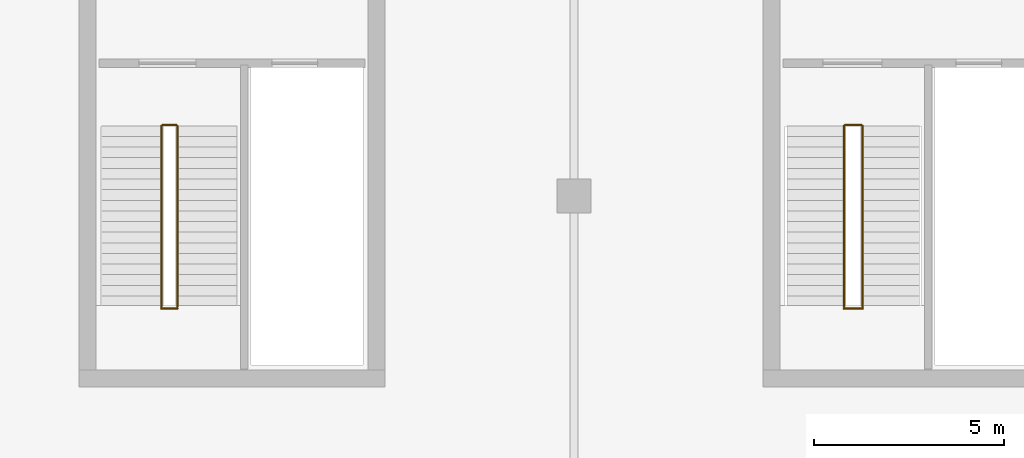
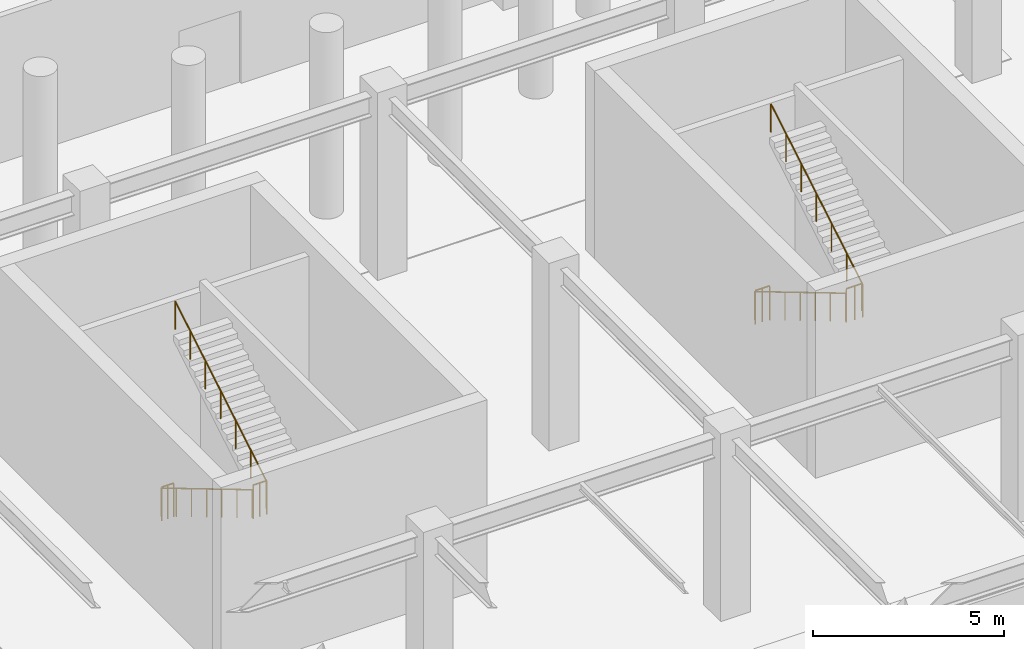
# One storey, part 80 of 91: 8 railings.
"""IFC4 building model written with IfcOpenShell, lengths in metres."""

from ifc_helpers import new_model, si_unit, direction, frame, origin, origin_2d, place, context, subcontext, project, spatial, circle, extrude, material, type_object, element, save


model = new_model("IFC4")

# Units and contexts
model_context = context("Model", 3, precision=1e-05, world=origin(), true_north=direction((0.0, 1.0)))
body_context = subcontext(model_context, "Body", "Model", "MODEL_VIEW")
ifc_project = project(units=[si_unit("LENGTHUNIT", "METRE"), si_unit("AREAUNIT", "SQUARE_METRE"), si_unit("VOLUMEUNIT", "CUBIC_METRE"), si_unit("PLANEANGLEUNIT", "RADIAN"), si_unit("MASSUNIT", "GRAM", prefix="KILO")], contexts=[model_context])

# Site, building, storey
site_placement = place(None, origin())
site = spatial("IfcSite", under=ifc_project, at=site_placement, CompositionType="ELEMENT")
building_placement = place(site_placement, origin())
building = spatial("IfcBuilding", under=site, at=building_placement, Name="Dornveld Trade and Exhibition Forum", CompositionType="ELEMENT")
storey_placement = place(building_placement, origin())
storey = spatial("IfcBuildingStorey", under=building, at=storey_placement, Name="L00", CompositionType="ELEMENT", Elevation=0.0)

# Railings
ifc_material_1 = material(Name="Brushed stainless steel handrail", Category="steel")
railing_type_1 = type_object("IfcRailingType", Name="RL-HAND-920", PredefinedType="HANDRAIL", material=ifc_material_1)
railing_1_placement = place(storey_placement, frame((106.139892578125, 55.85009765625, 0.166748046875)))
element("IfcRailing", 1, at=railing_1_placement, inside=storey, type_object=railing_type_1, Name="ST-06-L00 flight 1 handrail", PredefinedType="HANDRAIL", context=body_context, shape_type="SweptSolid", body=[
    extrude(circle(Radius=0.02099609375, at=origin_2d()), frame((0.0, 0.0, 0.89892578125), z_axis=(0.0, -0.859299802514, 0.511472237174), x_axis=(1.0, 0.0, 0.0)), (0.0, 0.0, 1.0), 5.539306640625),
    extrude(circle(Radius=0.01806640625, at=origin_2d()), origin(), (0.0, 0.0, 1.0), 0.8779296875),
    extrude(circle(Radius=0.01806640625, at=origin_2d()), frame((0.0, -0.79345703125, 0.47216796875)), (0.0, 0.0, 1.0), 0.8779296875),
    extrude(circle(Radius=0.01806640625, at=origin_2d()), frame((0.0, -1.586669921875, 0.9443359375)), (0.0, 0.0, 1.0), 0.8779296875),
    extrude(circle(Radius=0.01806640625, at=origin_2d()), frame((0.0, -2.3798828125, 1.41650390625)), (0.0, 0.0, 1.0), 0.8779296875),
    extrude(circle(Radius=0.01806640625, at=origin_2d()), frame((0.0, -3.17333984375, 1.888916015625)), (0.0, 0.0, 1.0), 0.8779296875),
    extrude(circle(Radius=0.01806640625, at=origin_2d()), frame((0.0, -3.966796875, 2.361083984375)), (0.0, 0.0, 1.0), 0.8779296875),
    extrude(circle(Radius=0.01806640625, at=origin_2d()), frame((0.0, -4.760009765625, 2.833251953125)), (0.0, 0.0, 1.0), 0.8779296875),
])
railing_2_placement = place(storey_placement, frame((106.56005859375, 51.090087890625, 3.166748046875)))
element("IfcRailing", 2, at=railing_2_placement, inside=storey, type_object=railing_type_1, Name="ST-06-L00 flight 2 handrail", PredefinedType="HANDRAIL", context=body_context, shape_type="SweptSolid", body=[
    extrude(circle(Radius=0.02099609375, at=origin_2d()), frame((0.0, 0.0, 0.89892578125), z_axis=(0.0, 0.859299802514, 0.511472237174), x_axis=(-1.0, 0.0, 0.0)), (0.0, 0.0, 1.0), 5.539306640625),
    extrude(circle(Radius=0.01806640625, at=origin_2d()), origin(), (0.0, 0.0, 1.0), 0.8779296875),
    extrude(circle(Radius=0.01806640625, at=origin_2d()), frame((0.0, 0.79345703125, 0.47216796875)), (0.0, 0.0, 1.0), 0.8779296875),
    extrude(circle(Radius=0.01806640625, at=origin_2d()), frame((0.0, 1.586669921875, 0.9443359375)), (0.0, 0.0, 1.0), 0.8779296875),
    extrude(circle(Radius=0.01806640625, at=origin_2d()), frame((0.0, 2.3798828125, 1.41650390625)), (0.0, 0.0, 1.0), 0.8779296875),
    extrude(circle(Radius=0.01806640625, at=origin_2d()), frame((0.0, 3.17333984375, 1.888916015625)), (0.0, 0.0, 1.0), 0.8779296875),
    extrude(circle(Radius=0.01806640625, at=origin_2d()), frame((0.0, 3.966796875, 2.361083984375)), (0.0, 0.0, 1.0), 0.8779296875),
    extrude(circle(Radius=0.01806640625, at=origin_2d()), frame((0.0, 4.760009765625, 2.833251953125)), (0.0, 0.0, 1.0), 0.8779296875),
])
railing_3_placement = place(storey_placement, frame((124.10498046875, 55.85009765625, 0.166748046875)))
element("IfcRailing", 3, at=railing_3_placement, inside=storey, type_object=railing_type_1, Name="ST-07-L00 flight 1 handrail", PredefinedType="HANDRAIL", context=body_context, shape_type="SweptSolid", body=[
    extrude(circle(Radius=0.02099609375, at=origin_2d()), frame((0.0, 0.0, 0.89892578125), z_axis=(0.0, -0.859299802514, 0.511472237174), x_axis=(1.0, 0.0, 0.0)), (0.0, 0.0, 1.0), 5.539306640625),
    extrude(circle(Radius=0.01806640625, at=origin_2d()), origin(), (0.0, 0.0, 1.0), 0.8779296875),
    extrude(circle(Radius=0.01806640625, at=origin_2d()), frame((0.0, -0.79345703125, 0.47216796875)), (0.0, 0.0, 1.0), 0.8779296875),
    extrude(circle(Radius=0.01806640625, at=origin_2d()), frame((0.0, -1.586669921875, 0.9443359375)), (0.0, 0.0, 1.0), 0.8779296875),
    extrude(circle(Radius=0.01806640625, at=origin_2d()), frame((0.0, -2.3798828125, 1.41650390625)), (0.0, 0.0, 1.0), 0.8779296875),
    extrude(circle(Radius=0.01806640625, at=origin_2d()), frame((0.0, -3.17333984375, 1.888916015625)), (0.0, 0.0, 1.0), 0.8779296875),
    extrude(circle(Radius=0.01806640625, at=origin_2d()), frame((0.0, -3.966796875, 2.361083984375)), (0.0, 0.0, 1.0), 0.8779296875),
    extrude(circle(Radius=0.01806640625, at=origin_2d()), frame((0.0, -4.760009765625, 2.833251953125)), (0.0, 0.0, 1.0), 0.8779296875),
])
railing_4_placement = place(storey_placement, frame((124.594970703125, 51.090087890625, 3.166748046875)))
element("IfcRailing", 4, at=railing_4_placement, inside=storey, type_object=railing_type_1, Name="ST-07-L00 flight 2 handrail", PredefinedType="HANDRAIL", context=body_context, shape_type="SweptSolid", body=[
    extrude(circle(Radius=0.02099609375, at=origin_2d()), frame((0.0, 0.0, 0.89892578125), z_axis=(0.0, 0.859299802514, 0.511472237174), x_axis=(-1.0, 0.0, 0.0)), (0.0, 0.0, 1.0), 5.539306640625),
    extrude(circle(Radius=0.01806640625, at=origin_2d()), origin(), (0.0, 0.0, 1.0), 0.8779296875),
    extrude(circle(Radius=0.01806640625, at=origin_2d()), frame((0.0, 0.79345703125, 0.47216796875)), (0.0, 0.0, 1.0), 0.8779296875),
    extrude(circle(Radius=0.01806640625, at=origin_2d()), frame((0.0, 1.586669921875, 0.9443359375)), (0.0, 0.0, 1.0), 0.8779296875),
    extrude(circle(Radius=0.01806640625, at=origin_2d()), frame((0.0, 2.3798828125, 1.41650390625)), (0.0, 0.0, 1.0), 0.8779296875),
    extrude(circle(Radius=0.01806640625, at=origin_2d()), frame((0.0, 3.17333984375, 1.888916015625)), (0.0, 0.0, 1.0), 0.8779296875),
    extrude(circle(Radius=0.01806640625, at=origin_2d()), frame((0.0, 3.966796875, 2.361083984375)), (0.0, 0.0, 1.0), 0.8779296875),
    extrude(circle(Radius=0.01806640625, at=origin_2d()), frame((0.0, 4.760009765625, 2.833251953125)), (0.0, 0.0, 1.0), 0.8779296875),
])
ifc_material_2 = material(Name="Painted steel S355J2 stair-well guard", Category="steel")
railing_type_2 = type_object("IfcRailingType", Name="RL-WELL-110", PredefinedType="GUARDRAIL", material=ifc_material_2)
railing_5_placement = place(storey_placement, frame((106.139892578125, 51.0400390625, 3.0)))
element("IfcRailing", 5, at=railing_5_placement, inside=storey, type_object=railing_type_2, Name="ST-06-L00 half-landing well guard", PredefinedType="GUARDRAIL", context=body_context, shape_type="SweptSolid", body=[
    extrude(circle(Radius=0.02392578125, at=origin_2d()), frame((0.0, 0.0, 1.076171875), z_axis=(1.0, 0.0, 0.0), x_axis=(0.0, 1.0, 0.0)), (0.0, 0.0, 1.0), 0.420166015625),
    extrude(circle(Radius=0.02001953125, at=origin_2d()), origin(), (0.0, 0.0, 1.0), 1.052001953125),
    extrude(circle(Radius=0.02001953125, at=origin_2d()), frame((0.2099609375, 0.0, 0.0)), (0.0, 0.0, 1.0), 1.052001953125),
    extrude(circle(Radius=0.02001953125, at=origin_2d()), frame((0.420166015625, 0.0, 0.0)), (0.0, 0.0, 1.0), 1.052001953125),
])
railing_6_placement = place(storey_placement, frame((106.169921875, 55.8701171875, 0.0)))
element("IfcRailing", 6, at=railing_6_placement, inside=storey, type_object=railing_type_2, Name="CORE-06 L00 stair-slot floor guard", PredefinedType="GUARDRAIL", context=body_context, shape_type="SweptSolid", body=[
    extrude(circle(Radius=0.02392578125, at=origin_2d()), frame((0.0, 0.0, 1.076171875), z_axis=(1.0, 0.0, 0.0), x_axis=(0.0, 1.0, 0.0)), (0.0, 0.0, 1.0), 0.360107421875),
    extrude(circle(Radius=0.02001953125, at=origin_2d()), origin(), (0.0, 0.0, 1.0), 1.052001953125),
    extrude(circle(Radius=0.02001953125, at=origin_2d()), frame((0.18017578125, 0.0, 0.0)), (0.0, 0.0, 1.0), 1.052001953125),
    extrude(circle(Radius=0.02001953125, at=origin_2d()), frame((0.360107421875, 0.0, 0.0)), (0.0, 0.0, 1.0), 1.052001953125),
])
railing_7_placement = place(storey_placement, frame((124.10498046875, 51.0400390625, 3.0)))
element("IfcRailing", 7, at=railing_7_placement, inside=storey, type_object=railing_type_2, Name="ST-07-L00 half-landing well guard", PredefinedType="GUARDRAIL", context=body_context, shape_type="SweptSolid", body=[
    extrude(circle(Radius=0.02392578125, at=origin_2d()), frame((0.0, 0.0, 1.076171875), z_axis=(1.0, 0.0, 0.0), x_axis=(0.0, 1.0, 0.0)), (0.0, 0.0, 1.0), 0.489990234375),
    extrude(circle(Radius=0.02001953125, at=origin_2d()), origin(), (0.0, 0.0, 1.0), 1.052001953125),
    extrude(circle(Radius=0.02001953125, at=origin_2d()), frame((0.2451171875, 0.0, 0.0)), (0.0, 0.0, 1.0), 1.052001953125),
    extrude(circle(Radius=0.02001953125, at=origin_2d()), frame((0.489990234375, 0.0, 0.0)), (0.0, 0.0, 1.0), 1.052001953125),
])
railing_8_placement = place(storey_placement, frame((124.135009765625, 55.8701171875, 0.0)))
element("IfcRailing", 8, at=railing_8_placement, inside=storey, type_object=railing_type_2, Name="CORE-07 L00 stair-slot floor guard", PredefinedType="GUARDRAIL", context=body_context, shape_type="SweptSolid", body=[
    extrude(circle(Radius=0.02392578125, at=origin_2d()), frame((0.0, 0.0, 1.076171875), z_axis=(1.0, 0.0, 0.0), x_axis=(0.0, 1.0, 0.0)), (0.0, 0.0, 1.0), 0.429931640625),
    extrude(circle(Radius=0.02001953125, at=origin_2d()), origin(), (0.0, 0.0, 1.0), 1.052001953125),
    extrude(circle(Radius=0.02001953125, at=origin_2d()), frame((0.21484375, 0.0, 0.0)), (0.0, 0.0, 1.0), 1.052001953125),
    extrude(circle(Radius=0.02001953125, at=origin_2d()), frame((0.429931640625, 0.0, 0.0)), (0.0, 0.0, 1.0), 1.052001953125),
])

save(model, "model.ifc")
